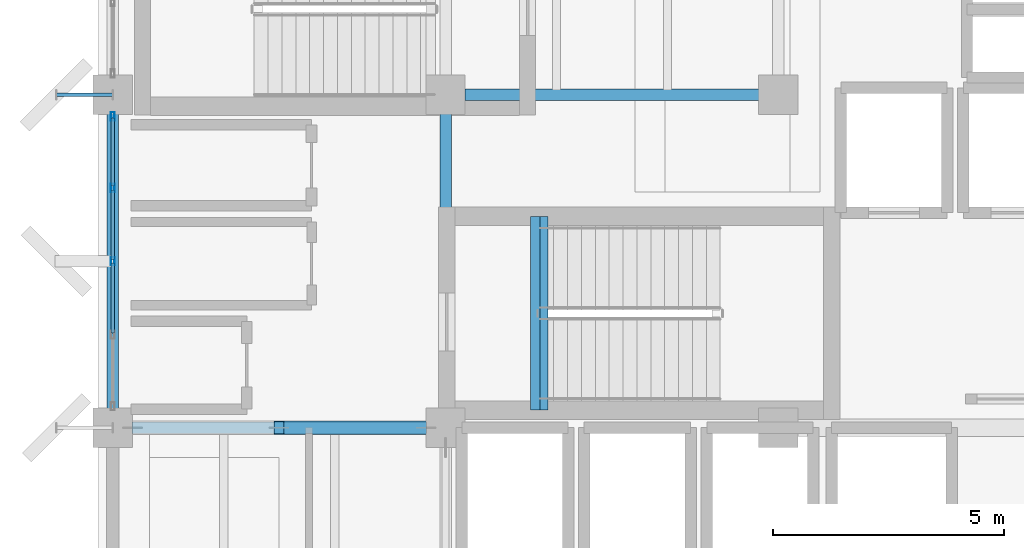
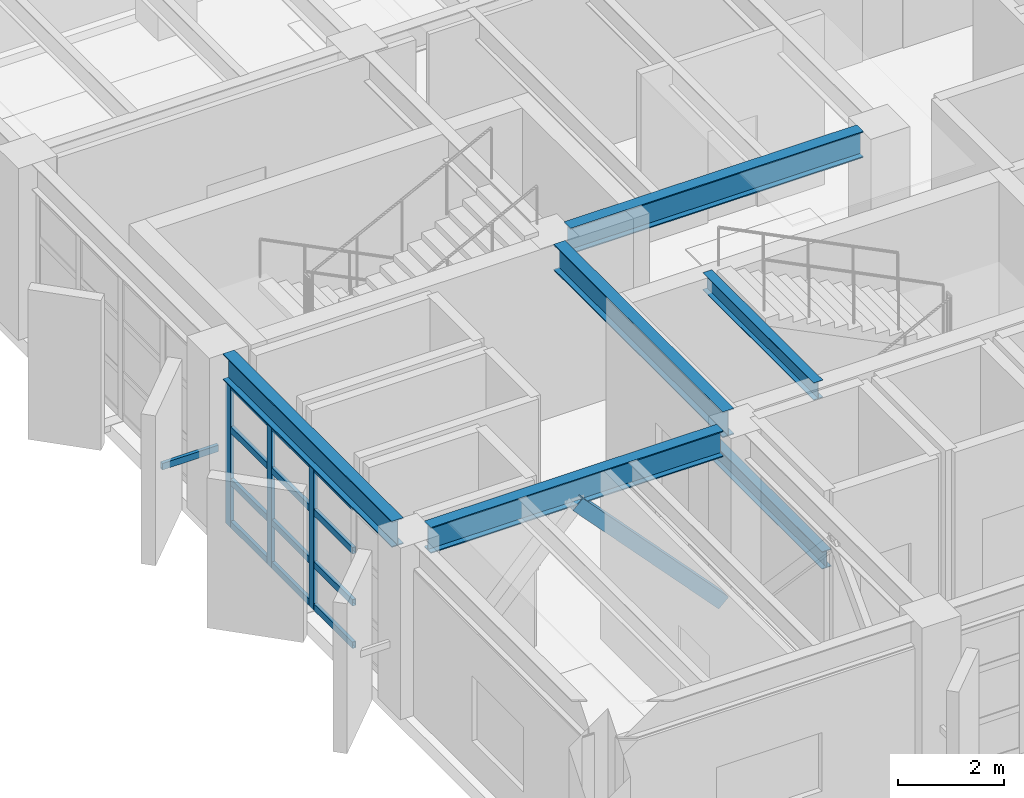
# One storey, part 7 of 59: 17 members, 6 beams, 1 element without a shape of its own.
"""IFC4 building model written with IfcOpenShell, lengths in metres."""

from ifc_helpers import new_model, si_unit, direction, frame, origin, origin_2d, place, context, subcontext, project, spatial, hollow_rectangle, i_section, extrude, material, layer, layer_set, material_profile, profile_set, type_object, element, aggregate, save


model = new_model("IFC4")

# Units and contexts
model_context = context("Model", 3, precision=1e-05, world=origin(), true_north=direction((0.0, 1.0)))
body_context = subcontext(model_context, "Body", "Model", "MODEL_VIEW")
ifc_project = project(units=[si_unit("LENGTHUNIT", "METRE"), si_unit("AREAUNIT", "SQUARE_METRE"), si_unit("VOLUMEUNIT", "CUBIC_METRE"), si_unit("PLANEANGLEUNIT", "RADIAN"), si_unit("MASSUNIT", "GRAM", prefix="KILO")], contexts=[model_context])

# Site, building, storey
site_placement = place(None, origin())
site = spatial("IfcSite", under=ifc_project, at=site_placement, CompositionType="ELEMENT")
building_placement = place(site_placement, origin())
building = spatial("IfcBuilding", under=site, at=building_placement, Name="Kandorven Conservatory and Botanical Research Centre", CompositionType="ELEMENT")
storey_placement = place(building_placement, frame((0.0, 0.0, 4.800048828125)))
storey = spatial("IfcBuildingStorey", under=building, at=storey_placement, Name="L01", CompositionType="ELEMENT", Elevation=4.800048828125)

# Beams
ifc_material_1 = material(Name="Steel S355 (IS 2062 E350)", Category="steel")
ifc_material_profile_1 = material_profile(ifc_material_1, i_section(OverallWidth=0.25, OverallDepth=0.60009765625, WebThickness=0.01171875, FlangeThickness=0.023681640625, at=origin_2d()))
ifc_profile_set_1 = profile_set([ifc_material_profile_1], Name="Steel S355 (IS 2062 E350)")
beam_type_1 = type_object("IfcBeamType", Name="Beam_FG-01", PredefinedType="USERDEFINED", material=ifc_profile_set_1)
beam_placement = place(storey_placement, frame((6.4150390625, 13.199951171875, 3.64990234375), z_axis=(1.0, 0.0, 0.0), x_axis=(0.0, 1.0, 0.0)))
element("IfcBeam", 1, at=beam_placement, inside=storey, type_object=beam_type_1, Name="Primary girder FG-01 TWR L01", ObjectType="GIRDER", PredefinedType="USERDEFINED", context=body_context, shape_type="SweptSolid", body=[
    extrude(i_section(OverallWidth=0.25, OverallDepth=0.60009765625, WebThickness=0.01171875, FlangeThickness=0.023681640625, at=origin_2d()), origin(), (0.0, 0.0, 1.0), 6.369873046875),
])
for number, where, z_axis, x_axis, name in (
    (2, (13.614990234375, 20.39990234375, 3.64990234375), (1.0, 0.0, 0.0), (0.0, 1.0, 0.0), "Primary girder FG-01 TWR L01"),
    (3, (6.0, 13.614990234375, 3.64990234375), (0.0, 1.0, 0.0), (-1.0, 0.0, 0.0), "Primary girder FG-01 TWR L01"),
    (4, (13.199951171875, 13.614990234375, 3.64990234375), (0.0, 1.0, 0.0), (-1.0, 0.0, 0.0), "Primary girder FG-01 TWR L01"),
):
    element("IfcBeam", number, at=place(storey_placement, frame(where, z_axis=z_axis, x_axis=x_axis)), inside=storey, type_object=beam_type_1, Name=name, ObjectType="GIRDER", PredefinedType="USERDEFINED", context=body_context, shape_type="SweptSolid", body=[
        extrude(i_section(OverallWidth=0.25, OverallDepth=0.60009765625, WebThickness=0.01171875, FlangeThickness=0.023681640625, at=origin_2d()), origin(), (0.0, 0.0, 1.0), 6.3701171875),
    ])
ifc_material_2 = material(Name="Steel S355 (IS 2062 E350)", Category="steel")
ifc_material_profile_2 = material_profile(ifc_material_2, i_section(OverallWidth=0.199951171875, OverallDepth=0.39990234375, WebThickness=0.008544921875, FlangeThickness=0.012939453125, at=origin_2d()))
ifc_profile_set_2 = profile_set([ifc_material_profile_2], Name="Steel S355 (IS 2062 E350)")
beam_type_2 = type_object("IfcBeamType", Name="Beam_FG-03", PredefinedType="USERDEFINED", material=ifc_profile_set_2)
for number, where, z_axis, x_axis, name in (
    (5, (15.320068359375, 13.580078125, -0.199951171875), (0.0, 1.0, 0.0), (-1.0, 0.0, 0.0), "Stair well bottom trimmer girder FG-03 ST-T1 L01"),
    (6, (15.139892578125, 13.580078125, 3.75), (0.0, 1.0, 0.0), (-1.0, 0.0, 0.0), "Stair well top header girder FG-03 ST-T1 L01"),
):
    element("IfcBeam", number, at=place(storey_placement, frame(where, z_axis=z_axis, x_axis=x_axis)), inside=storey, type_object=beam_type_2, Name=name, ObjectType="GIRDER", PredefinedType="USERDEFINED", context=body_context, shape_type="SweptSolid", body=[
        extrude(i_section(OverallWidth=0.199951171875, OverallDepth=0.39990234375, WebThickness=0.008544921875, FlangeThickness=0.012939453125, at=origin_2d()), origin(), (0.0, 0.0, 1.0), 4.18994140625),
    ])

# Curtain wall, members
ifc_material_3 = material(Name="Bronze anodised thermally broken aluminium", Category="aluminium")
ifc_layer = layer(ifc_material_3, 0.179931640625)
ifc_layer_set = layer_set([ifc_layer], Name="Bronze anodised thermally broken aluminium")
curtain_wall_type = type_object("IfcCurtainWallType", Name="CW_Unitised", PredefinedType="USERDEFINED", material=ifc_layer_set)
curtain_wall_placement = place(storey_placement, origin())
curtain_wall = element("IfcCurtainWall", 7, at=curtain_wall_placement, inside=storey, type_object=curtain_wall_type, Name="Tower laboratory curtain wall CW-TWR-W-L01-2", ObjectType="UNITISED GLAZING", PredefinedType="USERDEFINED")
ifc_material_4 = material(Name="Bronze anodised thermally broken aluminium", Category="aluminium")
ifc_material_profile_3 = material_profile(ifc_material_4, hollow_rectangle(XDim=0.080078125, YDim=0.179931640625, WallThickness=0.006103515625, at=origin_2d()))
ifc_profile_set_3 = profile_set([ifc_material_profile_3], Name="Bronze anodised thermally broken aluminium")
member_type_1 = type_object("IfcMemberType", Name="CW_Mullion", PredefinedType="MULLION", material=ifc_profile_set_3)
member_1_placement = place(storey_placement, frame((6.0, 16.800048828125, 0.0), z_axis=(0.0, 0.0, 1.0), x_axis=(-1.0, 0.0, 0.0)))
member_1 = element("IfcMember", 8, at=member_1_placement, type_object=member_type_1, Name="CW-01 mullion 3", PredefinedType="MULLION", context=body_context, shape_type="SweptSolid", body=[
    extrude(hollow_rectangle(XDim=0.080078125, YDim=0.179931640625, WallThickness=0.006103515625, at=origin_2d()), origin(), (0.0, 0.0, 1.0), 3.329833984375),
])
member_2_placement = place(storey_placement, frame((6.0, 18.387451171875, 0.0), z_axis=(0.0, 0.0, 1.0), x_axis=(-1.0, 0.0, 0.0)))
member_2 = element("IfcMember", 9, at=member_2_placement, type_object=member_type_1, Name="CW-01 mullion 4", PredefinedType="MULLION", context=body_context, shape_type="SweptSolid", body=[
    extrude(hollow_rectangle(XDim=0.080078125, YDim=0.179931640625, WallThickness=0.006103515625, at=origin_2d()), origin(), (0.0, 0.0, 1.0), 3.329833984375),
])
member_3_placement = place(storey_placement, frame((6.0, 19.93505859375, 0.0), z_axis=(0.0, 0.0, 1.0), x_axis=(-1.0, 0.0, 0.0)))
member_3 = element("IfcMember", 10, at=member_3_placement, type_object=member_type_1, Name="CW-01 mullion 5", PredefinedType="MULLION", context=body_context, shape_type="SweptSolid", body=[
    extrude(hollow_rectangle(XDim=0.080078125, YDim=0.179931640625, WallThickness=0.006103515625, at=origin_2d()), origin(), (0.0, 0.0, 1.0), 3.329833984375),
])
ifc_material_5 = material(Name="Bronze anodised thermally broken aluminium", Category="aluminium")
ifc_material_profile_4 = material_profile(ifc_material_5, hollow_rectangle(XDim=0.074951171875, YDim=0.14990234375, WallThickness=0.006103515625, at=origin_2d()))
ifc_profile_set_4 = profile_set([ifc_material_profile_4], Name="Bronze anodised thermally broken aluminium")
member_type_2 = type_object("IfcMemberType", Name="CW_Transom", PredefinedType="USERDEFINED", material=ifc_profile_set_4)
member_4_placement = place(storey_placement, frame((6.0, 15.25244140625, 0.074951171875), z_axis=(0.0, 1.0, 0.0), x_axis=(-1.0, 0.0, 0.0)))
member_4 = element("IfcMember", 11, at=member_4_placement, type_object=member_type_2, Name="CW-01 transom 2.1", ObjectType="TRANSOM", PredefinedType="USERDEFINED", context=body_context, shape_type="SweptSolid", body=[
    extrude(hollow_rectangle(XDim=0.074951171875, YDim=0.14990234375, WallThickness=0.006103515625, at=origin_2d()), origin(), (0.0, 0.0, 1.0), 1.507568359375),
])
member_5_placement = place(storey_placement, frame((6.0, 15.25244140625, 1.050048828125), z_axis=(0.0, 1.0, 0.0), x_axis=(-1.0, 0.0, 0.0)))
member_5 = element("IfcMember", 12, at=member_5_placement, type_object=member_type_2, Name="CW-01 transom 2.2", ObjectType="TRANSOM", PredefinedType="USERDEFINED", context=body_context, shape_type="SweptSolid", body=[
    extrude(hollow_rectangle(XDim=0.074951171875, YDim=0.14990234375, WallThickness=0.006103515625, at=origin_2d()), origin(), (0.0, 0.0, 1.0), 1.507568359375),
])
member_6_placement = place(storey_placement, frame((6.0, 15.25244140625, 2.25), z_axis=(0.0, 1.0, 0.0), x_axis=(-1.0, 0.0, 0.0)))
member_6 = element("IfcMember", 13, at=member_6_placement, type_object=member_type_2, Name="CW-01 transom 2.3", ObjectType="TRANSOM", PredefinedType="USERDEFINED", context=body_context, shape_type="SweptSolid", body=[
    extrude(hollow_rectangle(XDim=0.074951171875, YDim=0.14990234375, WallThickness=0.006103515625, at=origin_2d()), origin(), (0.0, 0.0, 1.0), 1.507568359375),
])
member_7_placement = place(storey_placement, frame((6.0, 15.25244140625, 3.2548828125), z_axis=(0.0, 1.0, 0.0), x_axis=(-1.0, 0.0, 0.0)))
member_7 = element("IfcMember", 14, at=member_7_placement, type_object=member_type_2, Name="CW-01 transom 2.4", ObjectType="TRANSOM", PredefinedType="USERDEFINED", context=body_context, shape_type="SweptSolid", body=[
    extrude(hollow_rectangle(XDim=0.074951171875, YDim=0.14990234375, WallThickness=0.006103515625, at=origin_2d()), origin(), (0.0, 0.0, 1.0), 1.507568359375),
])
member_8_placement = place(storey_placement, frame((6.0, 16.840087890625, 0.074951171875), z_axis=(0.0, 1.0, 0.0), x_axis=(-1.0, 0.0, 0.0)))
member_8 = element("IfcMember", 15, at=member_8_placement, type_object=member_type_2, Name="CW-01 transom 3.1", ObjectType="TRANSOM", PredefinedType="USERDEFINED", context=body_context, shape_type="SweptSolid", body=[
    extrude(hollow_rectangle(XDim=0.074951171875, YDim=0.14990234375, WallThickness=0.006103515625, at=origin_2d()), origin(), (0.0, 0.0, 1.0), 1.50732421875),
])
member_9_placement = place(storey_placement, frame((6.0, 16.840087890625, 1.050048828125), z_axis=(0.0, 1.0, 0.0), x_axis=(-1.0, 0.0, 0.0)))
member_9 = element("IfcMember", 16, at=member_9_placement, type_object=member_type_2, Name="CW-01 transom 3.2", ObjectType="TRANSOM", PredefinedType="USERDEFINED", context=body_context, shape_type="SweptSolid", body=[
    extrude(hollow_rectangle(XDim=0.074951171875, YDim=0.14990234375, WallThickness=0.006103515625, at=origin_2d()), origin(), (0.0, 0.0, 1.0), 1.50732421875),
])
member_10_placement = place(storey_placement, frame((6.0, 16.840087890625, 2.25), z_axis=(0.0, 1.0, 0.0), x_axis=(-1.0, 0.0, 0.0)))
member_10 = element("IfcMember", 17, at=member_10_placement, type_object=member_type_2, Name="CW-01 transom 3.3", ObjectType="TRANSOM", PredefinedType="USERDEFINED", context=body_context, shape_type="SweptSolid", body=[
    extrude(hollow_rectangle(XDim=0.074951171875, YDim=0.14990234375, WallThickness=0.006103515625, at=origin_2d()), origin(), (0.0, 0.0, 1.0), 1.50732421875),
])
member_11_placement = place(storey_placement, frame((6.0, 16.840087890625, 3.2548828125), z_axis=(0.0, 1.0, 0.0), x_axis=(-1.0, 0.0, 0.0)))
member_11 = element("IfcMember", 18, at=member_11_placement, type_object=member_type_2, Name="CW-01 transom 3.4", ObjectType="TRANSOM", PredefinedType="USERDEFINED", context=body_context, shape_type="SweptSolid", body=[
    extrude(hollow_rectangle(XDim=0.074951171875, YDim=0.14990234375, WallThickness=0.006103515625, at=origin_2d()), origin(), (0.0, 0.0, 1.0), 1.50732421875),
])
member_12_placement = place(storey_placement, frame((6.0, 18.427490234375, 0.074951171875), z_axis=(0.0, 1.0, 0.0), x_axis=(-1.0, 0.0, 0.0)))
member_12 = element("IfcMember", 19, at=member_12_placement, type_object=member_type_2, Name="CW-01 transom 4.1", ObjectType="TRANSOM", PredefinedType="USERDEFINED", context=body_context, shape_type="SweptSolid", body=[
    extrude(hollow_rectangle(XDim=0.074951171875, YDim=0.14990234375, WallThickness=0.006103515625, at=origin_2d()), origin(), (0.0, 0.0, 1.0), 1.467529296875),
])
member_13_placement = place(storey_placement, frame((6.0, 18.427490234375, 1.050048828125), z_axis=(0.0, 1.0, 0.0), x_axis=(-1.0, 0.0, 0.0)))
member_13 = element("IfcMember", 20, at=member_13_placement, type_object=member_type_2, Name="CW-01 transom 4.2", ObjectType="TRANSOM", PredefinedType="USERDEFINED", context=body_context, shape_type="SweptSolid", body=[
    extrude(hollow_rectangle(XDim=0.074951171875, YDim=0.14990234375, WallThickness=0.006103515625, at=origin_2d()), origin(), (0.0, 0.0, 1.0), 1.467529296875),
])
member_14_placement = place(storey_placement, frame((6.0, 18.427490234375, 2.25), z_axis=(0.0, 1.0, 0.0), x_axis=(-1.0, 0.0, 0.0)))
member_14 = element("IfcMember", 21, at=member_14_placement, type_object=member_type_2, Name="CW-01 transom 4.3", ObjectType="TRANSOM", PredefinedType="USERDEFINED", context=body_context, shape_type="SweptSolid", body=[
    extrude(hollow_rectangle(XDim=0.074951171875, YDim=0.14990234375, WallThickness=0.006103515625, at=origin_2d()), origin(), (0.0, 0.0, 1.0), 1.467529296875),
])
member_15_placement = place(storey_placement, frame((6.0, 18.427490234375, 3.2548828125), z_axis=(0.0, 1.0, 0.0), x_axis=(-1.0, 0.0, 0.0)))
member_15 = element("IfcMember", 22, at=member_15_placement, type_object=member_type_2, Name="CW-01 transom 4.4", ObjectType="TRANSOM", PredefinedType="USERDEFINED", context=body_context, shape_type="SweptSolid", body=[
    extrude(hollow_rectangle(XDim=0.074951171875, YDim=0.14990234375, WallThickness=0.006103515625, at=origin_2d()), origin(), (0.0, 0.0, 1.0), 1.467529296875),
])
aggregate(curtain_wall, [member_1, member_2, member_3, member_4, member_5, member_6, member_7, member_8, member_9, member_10, member_11, member_12, member_13, member_14, member_15])

# Members
ifc_material_6 = material(Name="Steel S355 (IS 2062 E350)", Category="steel")
ifc_material_profile_5 = material_profile(ifc_material_6, hollow_rectangle(XDim=0.300048828125, YDim=0.300048828125, WallThickness=0.01611328125, at=origin_2d()))
ifc_profile_set_5 = profile_set([ifc_material_profile_5], Name="Steel S355 (IS 2062 E350)")
member_type_3 = type_object("IfcMemberType", Name="Mem_BR-01", PredefinedType="BRACE", material=ifc_profile_set_5)
member_16_placement = place(storey_placement, frame((12.77490234375, 13.199951171875, 0.0), z_axis=(-0.684648340505, 0.0, 0.728873548597), x_axis=(0.0, -1.0, 0.0)))
element("IfcMember", 23, at=member_16_placement, inside=storey, type_object=member_type_3, Name="Tower lateral chevron brace BR-01 L01 E", PredefinedType="BRACE", context=body_context, shape_type="SweptSolid", body=[
    extrude(hollow_rectangle(XDim=0.300048828125, YDim=0.300048828125, WallThickness=0.01611328125, at=origin_2d()), origin(), (0.0, 0.0, 1.0), 4.63720703125),
])
ifc_material_7 = material(Name="Steel S355 (IS 2062 E350)", Category="steel")
ifc_material_profile_6 = material_profile(ifc_material_7, hollow_rectangle(XDim=0.074951171875, YDim=0.14990234375, WallThickness=0.006103515625, at=origin_2d()))
ifc_profile_set_6 = profile_set([ifc_material_profile_6], Name="Steel S355 (IS 2062 E350)")
member_type_4 = type_object("IfcMemberType", Name="Mem_SF-01", PredefinedType="STRUT", material=ifc_profile_set_6)
member_17_placement = place(storey_placement, frame((6.0, 20.39990234375, 1.5), z_axis=(-1.0, 0.0, 0.0), x_axis=(0.0, -1.0, 0.0)))
element("IfcMember", 24, at=member_17_placement, inside=storey, type_object=member_type_4, Name="Solar fin steel outrigger strut SF-01 #9", PredefinedType="STRUT", context=body_context, shape_type="SweptSolid", body=[
    extrude(hollow_rectangle(XDim=0.074951171875, YDim=0.14990234375, WallThickness=0.006103515625, at=origin_2d()), origin(), (0.0, 0.0, 1.0), 1.219970703125),
])

save(model, "model.ifc")
